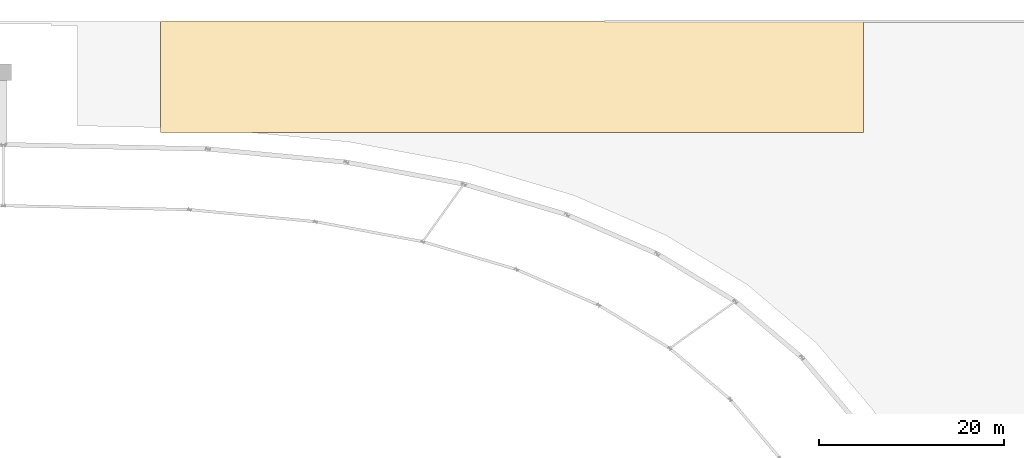
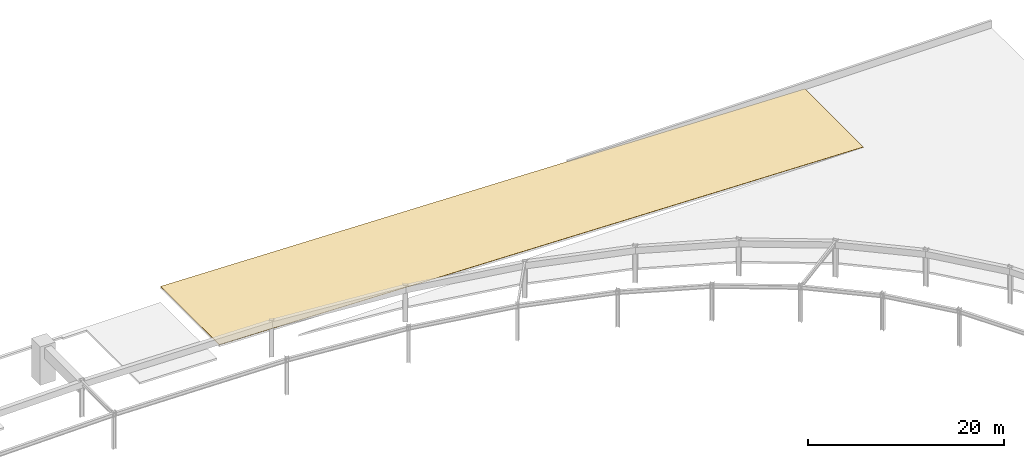
# One storey, part 45 of 45: 1 covering.
"""IFC4 building model written with IfcOpenShell, lengths in metres."""

from ifc_helpers import new_model, si_unit, direction, frame, origin, place, context, subcontext, project, spatial, polyline, outline, extrude, material, layer, layer_set, type_object, element, save


model = new_model("IFC4")

# Units and contexts
model_context = context("Model", 3, precision=1e-05, world=origin(), true_north=direction((0.0, 1.0)))
body_context = subcontext(model_context, "Body", "Model", "MODEL_VIEW")
ifc_project = project(units=[si_unit("LENGTHUNIT", "METRE"), si_unit("AREAUNIT", "SQUARE_METRE"), si_unit("VOLUMEUNIT", "CUBIC_METRE"), si_unit("PLANEANGLEUNIT", "RADIAN"), si_unit("MASSUNIT", "GRAM", prefix="KILO")], contexts=[model_context])

# Site, building, storey
site_placement = place(None, origin())
site = spatial("IfcSite", under=ifc_project, at=site_placement, CompositionType="ELEMENT")
building_placement = place(site_placement, origin())
building = spatial("IfcBuilding", under=site, at=building_placement, Name="Mphavela Belvedere Stadium", CompositionType="ELEMENT")
storey_placement = place(building_placement, frame((0.0, 0.0, 24.0)))
storey = spatial("IfcBuildingStorey", under=building, at=storey_placement, Name="L05", CompositionType="ELEMENT", Elevation=24.0)

# Covering
ifc_material = material(Name="Standing-seam zinc roofing membrane")
ifc_layer = layer(ifc_material, 0.030029296875)
ifc_layer_set = layer_set([ifc_layer], Name="Standing-seam zinc roofing membrane")
covering_type = type_object("IfcCoveringType", Name="COV-ROOF-ZINC", PredefinedType="ROOFING", material=ifc_layer_set)
covering_placement = place(storey_placement, frame((132.0, 162.0, 2.22998046875), z_axis=(0.025648811413, 0.0, 0.999671015121), x_axis=(0.999671015121, 0.0, -0.025648811413)))
element("IfcCovering", 1, at=covering_placement, inside=storey, type_object=covering_type, Name="North Mast and Ceremonial End Forecourt standing-seam zinc roofing E", PredefinedType="ROOFING", context=body_context, shape_type="SweptSolid", body=[
    extrude(outline(polyline([(0.0, 0.0), (76.02501107906987, 0.0), (76.02501107906987, 11.999999999999998), (0.0, 11.999999999999998), (0.0, 0.0)])), origin(), (0.0, 0.0, -1.0), 0.030029296875),
])

save(model, "model.ifc")
